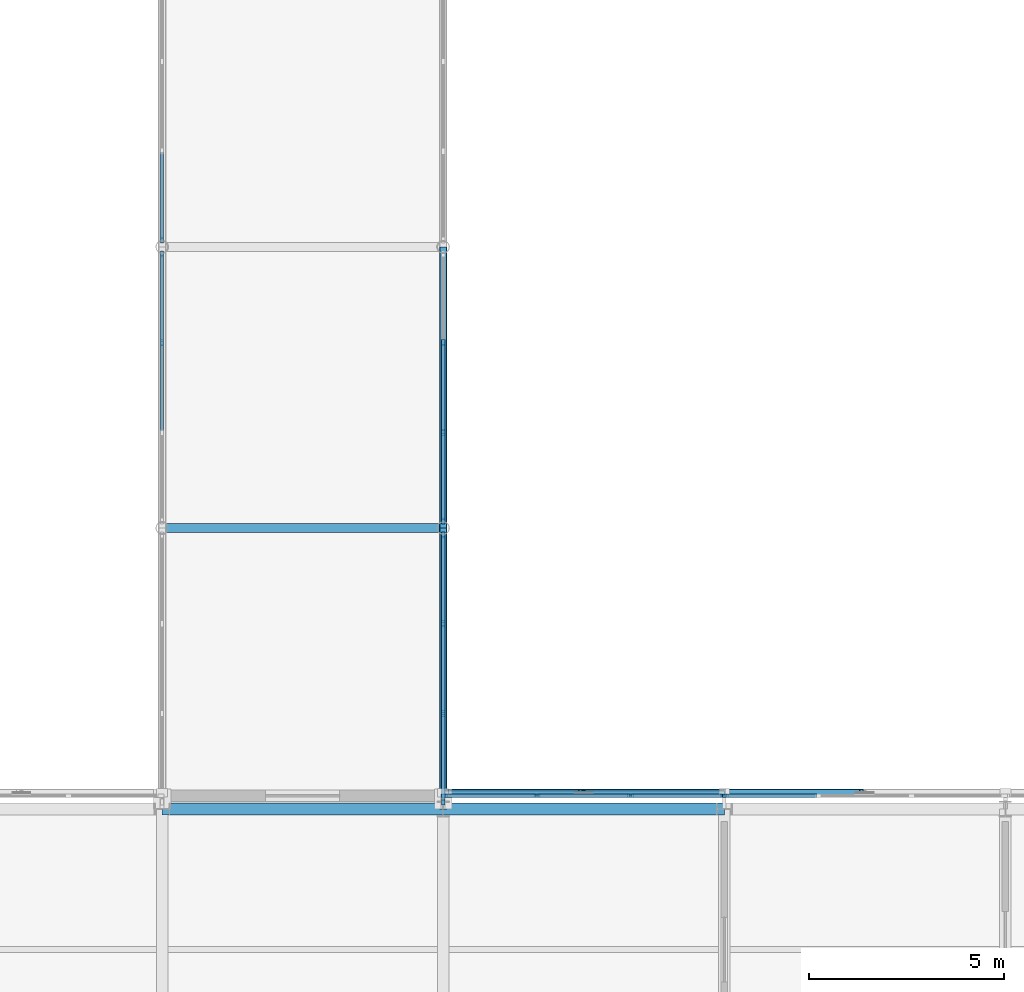
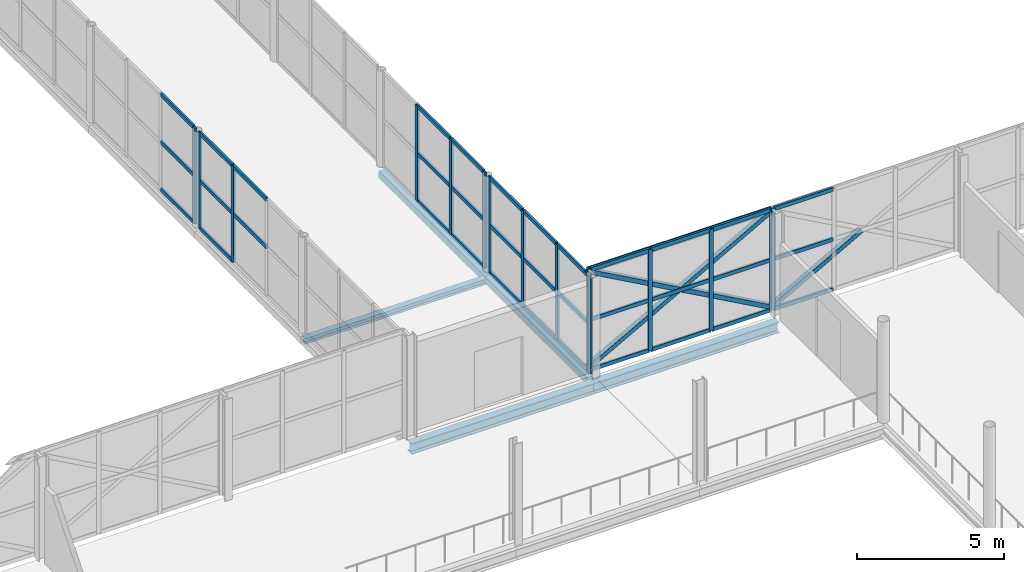
# One storey, part 45 of 146: 55 members, 5 beams, 6 elements without a shape of their own.
"""IFC4 building model written with IfcOpenShell, lengths in metres."""

from ifc_helpers import new_model, si_unit, direction, frame, origin, origin_2d, place, context, subcontext, project, spatial, rectangle, hollow_rectangle, i_section, extrude, material, material_profile, profile_set, type_object, element, aggregate, save


model = new_model("IFC4")

# Units and contexts
model_context = context("Model", 3, precision=1e-05, world=origin(), true_north=direction((0.0, 1.0)))
body_context = subcontext(model_context, "Body", "Model", "MODEL_VIEW")
ifc_project = project(units=[si_unit("LENGTHUNIT", "METRE"), si_unit("AREAUNIT", "SQUARE_METRE"), si_unit("VOLUMEUNIT", "CUBIC_METRE"), si_unit("PLANEANGLEUNIT", "RADIAN"), si_unit("MASSUNIT", "GRAM", prefix="KILO")], contexts=[model_context])

# Site, building, storey
site_placement = place(None, origin())
site = spatial("IfcSite", under=ifc_project, at=site_placement, CompositionType="ELEMENT")
building_placement = place(site_placement, origin())
building = spatial("IfcBuilding", under=site, at=building_placement, Name="Zlatovets Crest Museum", CompositionType="ELEMENT")
storey_placement = place(building_placement, frame((0.0, 0.0, 4.5)))
storey = spatial("IfcBuildingStorey", under=building, at=storey_placement, Name="L01", CompositionType="ELEMENT", Elevation=4.5)

# Beams
ifc_material_1 = material(Name="Structural steel S355J2", Category="steel")
ifc_material_profile_1 = material_profile(ifc_material_1, i_section(OverallWidth=0.239990234375, OverallDepth=0.22998046875, WebThickness=0.007568359375, FlangeThickness=0.011962890625, FilletRadius=0.02099609375, at=origin_2d()), Name="HEA 240")
ifc_profile_set_1 = profile_set([ifc_material_profile_1], Name="Structural steel S355J2")
beam_type_1 = type_object("IfcBeamType", Name="Beam_B-06", PredefinedType="BEAM", material=ifc_profile_set_1)
beam_1_placement = place(storey_placement, frame((79.199951171875, 36.0, -0.3701171875), z_axis=(1.0, 0.0, 0.0), x_axis=(0.0, 1.0, 0.0)))
element("IfcBeam", 1, at=beam_1_placement, inside=storey, type_object=beam_type_1, Name="Central Sculpture Court Cloister and Skywalk L01 Cross Beam", PredefinedType="BEAM", context=body_context, shape_type="SweptSolid", body=[
    extrude(i_section(OverallWidth=0.239990234375, OverallDepth=0.22998046875, WebThickness=0.007568359375, FlangeThickness=0.011962890625, FilletRadius=0.02099609375, at=origin_2d()), origin(), (0.0, 0.0, 1.0), 7.199951171875),
])
ifc_material_profile_2 = material_profile(ifc_material_1, i_section(OverallWidth=0.300048828125, OverallDepth=0.43994140625, WebThickness=0.011474609375, FlangeThickness=0.02099609375, FilletRadius=0.027099609375, at=origin_2d()), Name="HEA 450")
ifc_profile_set_2 = profile_set([ifc_material_profile_2], Name="Structural steel S355J2")
beam_type_2 = type_object("IfcBeamType", Name="Beam_B-10", PredefinedType="BEAM", material=ifc_profile_set_2)
beam_2_placement = place(storey_placement, frame((79.199951171875, 28.800048828125, -0.43994140625), z_axis=(1.0, 0.0, 0.0), x_axis=(0.0, 1.0, 0.0)))
element("IfcBeam", 2, at=beam_2_placement, inside=storey, type_object=beam_type_2, Name="V2 L01 Primary Girder B-10", PredefinedType="BEAM", context=body_context, shape_type="SweptSolid", body=[
    extrude(i_section(OverallWidth=0.300048828125, OverallDepth=0.43994140625, WebThickness=0.011474609375, FlangeThickness=0.02099609375, FilletRadius=0.027099609375, at=origin_2d()), origin(), (0.0, 0.0, 1.0), 7.199951171875),
])
beam_3_placement = place(storey_placement, frame((86.39990234375, 28.800048828125, -0.43994140625), z_axis=(1.0, 0.0, 0.0), x_axis=(0.0, 1.0, 0.0)))
element("IfcBeam", 3, at=beam_3_placement, inside=storey, type_object=beam_type_2, Name="V2 L01 Primary Girder B-10", PredefinedType="BEAM", context=body_context, shape_type="SweptSolid", body=[
    extrude(i_section(OverallWidth=0.300048828125, OverallDepth=0.43994140625, WebThickness=0.011474609375, FlangeThickness=0.02099609375, FilletRadius=0.027099609375, at=origin_2d()), origin(), (0.0, 0.0, 1.0), 7.2001953125),
])
ifc_material_profile_3 = material_profile(ifc_material_1, hollow_rectangle(XDim=0.199951171875, YDim=0.300048828125, WallThickness=0.012451171875, InnerFilletRadius=0.012451171875, OuterFilletRadius=0.02490234375, at=origin_2d()), Name="RHS 200x300x12.5")
ifc_profile_set_3 = profile_set([ifc_material_profile_3], Name="Structural steel S355J2")
beam_type_3 = type_object("IfcBeamType", Name="Beam_BRG-01", PredefinedType="BEAM", material=ifc_profile_set_3)
for number, where, z_axis, x_axis, name in (
    (4, (86.39990234375, 28.800048828125, -0.3701171875), (0.0, 1.0, 0.0), (-1.0, 0.0, 0.0), "Central Sculpture Court Cloister and Skywalk L01 Stringer Beam"),
    (5, (86.39990234375, 36.0, -0.3701171875), (0.0, 1.0, 0.0), (-1.0, 0.0, 0.0), "Central Sculpture Court Cloister and Skywalk L01 Stringer Beam"),
):
    element("IfcBeam", number, at=place(storey_placement, frame(where, z_axis=z_axis, x_axis=x_axis)), inside=storey, type_object=beam_type_3, Name=name, PredefinedType="BEAM", context=body_context, shape_type="SweptSolid", body=[
        extrude(hollow_rectangle(XDim=0.199951171875, YDim=0.300048828125, WallThickness=0.012451171875, InnerFilletRadius=0.012451171875, OuterFilletRadius=0.02490234375, at=origin_2d()), origin(), (0.0, 0.0, 1.0), 7.199951171875),
    ])

# Curtain wall, member
ifc_material_2 = material(Name="Bronze-anodised aluminium and low-E triple glass", Category="aluminium")
curtain_wall_type_1 = type_object("IfcCurtainWallType", Name="CW_CW-V2-L01-M0", PredefinedType="NOTDEFINED", material=ifc_material_2)
curtain_wall_1_placement = place(storey_placement, origin())
curtain_wall_1 = element("IfcCurtainWall", 6, at=curtain_wall_1_placement, inside=storey, type_object=curtain_wall_type_1, Name="V2 L01 Secession Foyer Clear Curtain Wall", PredefinedType="NOTDEFINED")
ifc_material_3 = material(Name="Bronze-anodised aluminium EN AW-6060", Category="aluminium")
ifc_material_profile_4 = material_profile(ifc_material_3, rectangle(XDim=0.080078125, YDim=0.159912109375, at=origin_2d()), Name="ALU 80x160")
ifc_profile_set_4 = profile_set([ifc_material_profile_4], Name="Bronze-anodised aluminium EN AW-6060")
member_type_1 = type_object("IfcMemberType", Name="CWMull_M1", PredefinedType="MULLION", material=ifc_profile_set_4)
member_1_placement = place(storey_placement, frame((93.6298828125, 29.139892578125, 0.0), z_axis=(0.0, 0.0, 1.0), x_axis=(0.0, -1.0, 0.0)))
member_1 = element("IfcMember", 7, at=member_1_placement, type_object=member_type_1, Name="CW-V2-L01-M0 mullion 4", PredefinedType="MULLION", context=body_context, shape_type="SweptSolid", body=[
    extrude(rectangle(XDim=0.080078125, YDim=0.159912109375, at=origin_2d()), origin(), (0.0, 0.0, 1.0), 4.199951171875),
])

# Curtain wall, members
curtain_wall_type_2 = type_object("IfcCurtainWallType", Name="CW_CW-V2-L01-M1", PredefinedType="NOTDEFINED", material=ifc_material_2)
curtain_wall_2_placement = place(storey_placement, origin())
curtain_wall_2 = element("IfcCurtainWall", 8, at=curtain_wall_2_placement, inside=storey, type_object=curtain_wall_type_2, Name="V2 L01 Secession Foyer Clear Curtain Wall", PredefinedType="NOTDEFINED")
member_2_placement = place(storey_placement, frame((93.570068359375, 29.139892578125, 0.0), z_axis=(0.0, 0.0, 1.0), x_axis=(0.0, -1.0, 0.0)))
member_2 = element("IfcMember", 9, at=member_2_placement, type_object=member_type_1, Name="CW-V2-L01-M1 mullion 1", PredefinedType="MULLION", context=body_context, shape_type="SweptSolid", body=[
    extrude(rectangle(XDim=0.080078125, YDim=0.159912109375, at=origin_2d()), origin(), (0.0, 0.0, 1.0), 4.199951171875),
])
member_3_placement = place(storey_placement, frame((91.199951171875, 29.139892578125, 0.0), z_axis=(0.0, 0.0, 1.0), x_axis=(0.0, -1.0, 0.0)))
member_3 = element("IfcMember", 10, at=member_3_placement, type_object=member_type_1, Name="CW-V2-L01-M1 mullion 2", PredefinedType="MULLION", context=body_context, shape_type="SweptSolid", body=[
    extrude(rectangle(XDim=0.080078125, YDim=0.159912109375, at=origin_2d()), origin(), (0.0, 0.0, 1.0), 4.199951171875),
])
member_4_placement = place(storey_placement, frame((88.800048828125, 29.139892578125, 0.0), z_axis=(0.0, 0.0, 1.0), x_axis=(0.0, -1.0, 0.0)))
member_4 = element("IfcMember", 11, at=member_4_placement, type_object=member_type_1, Name="CW-V2-L01-M1 mullion 3", PredefinedType="MULLION", context=body_context, shape_type="SweptSolid", body=[
    extrude(rectangle(XDim=0.080078125, YDim=0.159912109375, at=origin_2d()), origin(), (0.0, 0.0, 1.0), 4.199951171875),
])
member_5_placement = place(storey_placement, frame((86.429931640625, 29.139892578125, 0.0), z_axis=(0.0, 0.0, 1.0), x_axis=(0.0, -1.0, 0.0)))
member_5 = element("IfcMember", 12, at=member_5_placement, type_object=member_type_1, Name="CW-V2-L01-M1 mullion 4", PredefinedType="MULLION", context=body_context, shape_type="SweptSolid", body=[
    extrude(rectangle(XDim=0.080078125, YDim=0.159912109375, at=origin_2d()), origin(), (0.0, 0.0, 1.0), 4.199951171875),
])

curtain_wall_type_3 = type_object("IfcCurtainWallType", Name="CW_CW-BR5-L01-S69", PredefinedType="NOTDEFINED", material=ifc_material_2)
curtain_wall_3_placement = place(storey_placement, origin())
curtain_wall_3 = element("IfcCurtainWall", 13, at=curtain_wall_3_placement, inside=storey, type_object=curtain_wall_type_3, Name="Central Sculpture Court Cloister and Skywalk L01 Glazed Bridge Curtain Wall", PredefinedType="NOTDEFINED")
member_6_placement = place(storey_placement, frame((79.199951171875, 40.75, 0.0), z_axis=(0.0, 0.0, 1.0), x_axis=(-1.0, 0.0, 0.0)))
member_6 = element("IfcMember", 14, at=member_6_placement, type_object=member_type_1, Name="CW-BR5-L01-S69 mullion 3", PredefinedType="MULLION", context=body_context, shape_type="SweptSolid", body=[
    extrude(rectangle(XDim=0.080078125, YDim=0.159912109375, at=origin_2d()), origin(), (0.0, 0.0, 1.0), 3.97998046875),
])
member_7_placement = place(storey_placement, frame((79.199951171875, 43.02001953125, 0.0), z_axis=(0.0, 0.0, 1.0), x_axis=(-1.0, 0.0, 0.0)))
member_7 = element("IfcMember", 15, at=member_7_placement, type_object=member_type_1, Name="CW-BR5-L01-S69 mullion 4", PredefinedType="MULLION", context=body_context, shape_type="SweptSolid", body=[
    extrude(rectangle(XDim=0.080078125, YDim=0.159912109375, at=origin_2d()), origin(), (0.0, 0.0, 1.0), 3.97998046875),
])

# Curtain wall, member
curtain_wall_4_placement = place(storey_placement, origin())
curtain_wall_4 = element("IfcCurtainWall", 16, at=curtain_wall_4_placement, inside=storey, type_object=curtain_wall_type_3, Name="Central Sculpture Court Cloister and Skywalk L01 Glazed Bridge Curtain Wall", PredefinedType="NOTDEFINED")
member_8_placement = place(storey_placement, frame((79.199951171875, 43.3798828125, 0.0), z_axis=(0.0, 0.0, 1.0), x_axis=(-1.0, 0.0, 0.0)))
member_8 = element("IfcMember", 17, at=member_8_placement, type_object=member_type_1, Name="CW-BR5-L01-S69 mullion 1", PredefinedType="MULLION", context=body_context, shape_type="SweptSolid", body=[
    extrude(rectangle(XDim=0.080078125, YDim=0.159912109375, at=origin_2d()), origin(), (0.0, 0.0, 1.0), 3.97998046875),
])

# Curtain wall, members
curtain_wall_5_placement = place(storey_placement, origin())
curtain_wall_5 = element("IfcCurtainWall", 18, at=curtain_wall_5_placement, inside=storey, type_object=curtain_wall_type_3, Name="Central Sculpture Court Cloister and Skywalk L01 Glazed Bridge Curtain Wall", PredefinedType="NOTDEFINED")
member_9_placement = place(storey_placement, frame((86.39990234375, 28.97998046875, 0.0), z_axis=(0.0, 0.0, 1.0), x_axis=(-1.0, 0.0, 0.0)))
member_9 = element("IfcMember", 19, at=member_9_placement, type_object=member_type_1, Name="CW-BR5-L01-S69 mullion 1", PredefinedType="MULLION", context=body_context, shape_type="SweptSolid", body=[
    extrude(rectangle(XDim=0.080078125, YDim=0.159912109375, at=origin_2d()), origin(), (0.0, 0.0, 1.0), 3.97998046875),
])
member_10_placement = place(storey_placement, frame((86.39990234375, 31.25, 0.0), z_axis=(0.0, 0.0, 1.0), x_axis=(-1.0, 0.0, 0.0)))
member_10 = element("IfcMember", 20, at=member_10_placement, type_object=member_type_1, Name="CW-BR5-L01-S69 mullion 2", PredefinedType="MULLION", context=body_context, shape_type="SweptSolid", body=[
    extrude(rectangle(XDim=0.080078125, YDim=0.159912109375, at=origin_2d()), origin(), (0.0, 0.0, 1.0), 3.97998046875),
])
member_11_placement = place(storey_placement, frame((86.39990234375, 33.550048828125, 0.0), z_axis=(0.0, 0.0, 1.0), x_axis=(-1.0, 0.0, 0.0)))
member_11 = element("IfcMember", 21, at=member_11_placement, type_object=member_type_1, Name="CW-BR5-L01-S69 mullion 3", PredefinedType="MULLION", context=body_context, shape_type="SweptSolid", body=[
    extrude(rectangle(XDim=0.080078125, YDim=0.159912109375, at=origin_2d()), origin(), (0.0, 0.0, 1.0), 3.97998046875),
])
member_12_placement = place(storey_placement, frame((86.39990234375, 35.820068359375, 0.0), z_axis=(0.0, 0.0, 1.0), x_axis=(-1.0, 0.0, 0.0)))
member_12 = element("IfcMember", 22, at=member_12_placement, type_object=member_type_1, Name="CW-BR5-L01-S69 mullion 4", PredefinedType="MULLION", context=body_context, shape_type="SweptSolid", body=[
    extrude(rectangle(XDim=0.080078125, YDim=0.159912109375, at=origin_2d()), origin(), (0.0, 0.0, 1.0), 3.97998046875),
])

curtain_wall_6_placement = place(storey_placement, origin())
curtain_wall_6 = element("IfcCurtainWall", 23, at=curtain_wall_6_placement, inside=storey, type_object=curtain_wall_type_3, Name="Central Sculpture Court Cloister and Skywalk L01 Glazed Bridge Curtain Wall", PredefinedType="NOTDEFINED")
member_13_placement = place(storey_placement, frame((86.39990234375, 36.179931640625, 0.0), z_axis=(0.0, 0.0, 1.0), x_axis=(-1.0, 0.0, 0.0)))
member_13 = element("IfcMember", 24, at=member_13_placement, type_object=member_type_1, Name="CW-BR5-L01-S69 mullion 1", PredefinedType="MULLION", context=body_context, shape_type="SweptSolid", body=[
    extrude(rectangle(XDim=0.080078125, YDim=0.159912109375, at=origin_2d()), origin(), (0.0, 0.0, 1.0), 3.97998046875),
])
member_14_placement = place(storey_placement, frame((86.39990234375, 38.449951171875, 0.0), z_axis=(0.0, 0.0, 1.0), x_axis=(-1.0, 0.0, 0.0)))
member_14 = element("IfcMember", 25, at=member_14_placement, type_object=member_type_1, Name="CW-BR5-L01-S69 mullion 2", PredefinedType="MULLION", context=body_context, shape_type="SweptSolid", body=[
    extrude(rectangle(XDim=0.080078125, YDim=0.159912109375, at=origin_2d()), origin(), (0.0, 0.0, 1.0), 3.97998046875),
])
member_15_placement = place(storey_placement, frame((86.39990234375, 40.75, 0.0), z_axis=(0.0, 0.0, 1.0), x_axis=(-1.0, 0.0, 0.0)))
member_15 = element("IfcMember", 26, at=member_15_placement, type_object=member_type_1, Name="CW-BR5-L01-S69 mullion 3", PredefinedType="MULLION", context=body_context, shape_type="SweptSolid", body=[
    extrude(rectangle(XDim=0.080078125, YDim=0.159912109375, at=origin_2d()), origin(), (0.0, 0.0, 1.0), 3.97998046875),
])

# Member
ifc_material_profile_5 = material_profile(ifc_material_3, rectangle(XDim=0.080078125, YDim=0.159912109375, at=origin_2d()), Name="ALU 80x160")
ifc_profile_set_5 = profile_set([ifc_material_profile_5], Name="Bronze-anodised aluminium EN AW-6060")
member_type_2 = type_object("IfcMemberType", Name="CWTrans_T1", PredefinedType="USERDEFINED", material=ifc_profile_set_5)
member_16_placement = place(storey_placement, frame((95.969970703125, 29.139892578125, 0.030029296875), z_axis=(-1.0, 0.0, 0.0), x_axis=(0.0, -1.0, 0.0)))
member_16 = element("IfcMember", 27, at=member_16_placement, type_object=member_type_2, Name="CW-V2-L01-M0 transom 3.1", ObjectType="TRANSOM", PredefinedType="USERDEFINED", context=body_context, shape_type="SweptSolid", body=[
    extrude(rectangle(XDim=0.080078125, YDim=0.159912109375, at=origin_2d()), origin(), (0.0, 0.0, 1.0), 2.31005859375),
])

member_17_placement = place(storey_placement, frame((95.969970703125, 29.139892578125, 2.10009765625), z_axis=(-1.0, 0.0, 0.0), x_axis=(0.0, -1.0, 0.0)))
member_17 = element("IfcMember", 28, at=member_17_placement, type_object=member_type_2, Name="CW-V2-L01-M0 transom 3.2", ObjectType="TRANSOM", PredefinedType="USERDEFINED", context=body_context, shape_type="SweptSolid", body=[
    extrude(rectangle(XDim=0.080078125, YDim=0.159912109375, at=origin_2d()), origin(), (0.0, 0.0, 1.0), 2.31005859375),
])

member_18_placement = place(storey_placement, frame((95.969970703125, 29.139892578125, 4.169921875), z_axis=(-1.0, 0.0, 0.0), x_axis=(0.0, -1.0, 0.0)))
member_18 = element("IfcMember", 29, at=member_18_placement, type_object=member_type_2, Name="CW-V2-L01-M0 transom 3.3", ObjectType="TRANSOM", PredefinedType="USERDEFINED", context=body_context, shape_type="SweptSolid", body=[
    extrude(rectangle(XDim=0.080078125, YDim=0.159912109375, at=origin_2d()), origin(), (0.0, 0.0, 1.0), 2.31005859375),
])

aggregate(curtain_wall_1, [member_1, member_16, member_17, member_18])

member_19_placement = place(storey_placement, frame((93.5400390625, 29.139892578125, 0.030029296875), z_axis=(-1.0, 0.0, 0.0), x_axis=(0.0, -1.0, 0.0)))
member_19 = element("IfcMember", 30, at=member_19_placement, type_object=member_type_2, Name="CW-V2-L01-M1 transom 1.1", ObjectType="TRANSOM", PredefinedType="USERDEFINED", context=body_context, shape_type="SweptSolid", body=[
    extrude(rectangle(XDim=0.080078125, YDim=0.159912109375, at=origin_2d()), origin(), (0.0, 0.0, 1.0), 2.31005859375),
])

member_20_placement = place(storey_placement, frame((93.5400390625, 29.139892578125, 2.10009765625), z_axis=(-1.0, 0.0, 0.0), x_axis=(0.0, -1.0, 0.0)))
member_20 = element("IfcMember", 31, at=member_20_placement, type_object=member_type_2, Name="CW-V2-L01-M1 transom 1.2", ObjectType="TRANSOM", PredefinedType="USERDEFINED", context=body_context, shape_type="SweptSolid", body=[
    extrude(rectangle(XDim=0.080078125, YDim=0.159912109375, at=origin_2d()), origin(), (0.0, 0.0, 1.0), 2.31005859375),
])

member_21_placement = place(storey_placement, frame((93.5400390625, 29.139892578125, 4.169921875), z_axis=(-1.0, 0.0, 0.0), x_axis=(0.0, -1.0, 0.0)))
member_21 = element("IfcMember", 32, at=member_21_placement, type_object=member_type_2, Name="CW-V2-L01-M1 transom 1.3", ObjectType="TRANSOM", PredefinedType="USERDEFINED", context=body_context, shape_type="SweptSolid", body=[
    extrude(rectangle(XDim=0.080078125, YDim=0.159912109375, at=origin_2d()), origin(), (0.0, 0.0, 1.0), 2.31005859375),
])

member_22_placement = place(storey_placement, frame((91.169921875, 29.139892578125, 0.030029296875), z_axis=(-1.0, 0.0, 0.0), x_axis=(0.0, -1.0, 0.0)))
member_22 = element("IfcMember", 33, at=member_22_placement, type_object=member_type_2, Name="CW-V2-L01-M1 transom 2.1", ObjectType="TRANSOM", PredefinedType="USERDEFINED", context=body_context, shape_type="SweptSolid", body=[
    extrude(rectangle(XDim=0.080078125, YDim=0.159912109375, at=origin_2d()), origin(), (0.0, 0.0, 1.0), 2.33984375),
])

member_23_placement = place(storey_placement, frame((91.169921875, 29.139892578125, 2.10009765625), z_axis=(-1.0, 0.0, 0.0), x_axis=(0.0, -1.0, 0.0)))
member_23 = element("IfcMember", 34, at=member_23_placement, type_object=member_type_2, Name="CW-V2-L01-M1 transom 2.2", ObjectType="TRANSOM", PredefinedType="USERDEFINED", context=body_context, shape_type="SweptSolid", body=[
    extrude(rectangle(XDim=0.080078125, YDim=0.159912109375, at=origin_2d()), origin(), (0.0, 0.0, 1.0), 2.33984375),
])

member_24_placement = place(storey_placement, frame((91.169921875, 29.139892578125, 4.169921875), z_axis=(-1.0, 0.0, 0.0), x_axis=(0.0, -1.0, 0.0)))
member_24 = element("IfcMember", 35, at=member_24_placement, type_object=member_type_2, Name="CW-V2-L01-M1 transom 2.3", ObjectType="TRANSOM", PredefinedType="USERDEFINED", context=body_context, shape_type="SweptSolid", body=[
    extrude(rectangle(XDim=0.080078125, YDim=0.159912109375, at=origin_2d()), origin(), (0.0, 0.0, 1.0), 2.33984375),
])

member_25_placement = place(storey_placement, frame((88.77001953125, 29.139892578125, 0.030029296875), z_axis=(-1.0, 0.0, 0.0), x_axis=(0.0, -1.0, 0.0)))
member_25 = element("IfcMember", 36, at=member_25_placement, type_object=member_type_2, Name="CW-V2-L01-M1 transom 3.1", ObjectType="TRANSOM", PredefinedType="USERDEFINED", context=body_context, shape_type="SweptSolid", body=[
    extrude(rectangle(XDim=0.080078125, YDim=0.159912109375, at=origin_2d()), origin(), (0.0, 0.0, 1.0), 2.31005859375),
])

member_26_placement = place(storey_placement, frame((88.77001953125, 29.139892578125, 2.10009765625), z_axis=(-1.0, 0.0, 0.0), x_axis=(0.0, -1.0, 0.0)))
member_26 = element("IfcMember", 37, at=member_26_placement, type_object=member_type_2, Name="CW-V2-L01-M1 transom 3.2", ObjectType="TRANSOM", PredefinedType="USERDEFINED", context=body_context, shape_type="SweptSolid", body=[
    extrude(rectangle(XDim=0.080078125, YDim=0.159912109375, at=origin_2d()), origin(), (0.0, 0.0, 1.0), 2.31005859375),
])

member_27_placement = place(storey_placement, frame((88.77001953125, 29.139892578125, 4.169921875), z_axis=(-1.0, 0.0, 0.0), x_axis=(0.0, -1.0, 0.0)))
member_27 = element("IfcMember", 38, at=member_27_placement, type_object=member_type_2, Name="CW-V2-L01-M1 transom 3.3", ObjectType="TRANSOM", PredefinedType="USERDEFINED", context=body_context, shape_type="SweptSolid", body=[
    extrude(rectangle(XDim=0.080078125, YDim=0.159912109375, at=origin_2d()), origin(), (0.0, 0.0, 1.0), 2.31005859375),
])

aggregate(curtain_wall_2, [member_2, member_3, member_4, member_5, member_19, member_20, member_21, member_22, member_23, member_24, member_25, member_26, member_27])

member_28_placement = place(storey_placement, frame((79.199951171875, 38.47998046875, 1.989990234375), z_axis=(0.0, 1.0, 0.0), x_axis=(-1.0, 0.0, 0.0)))
member_28 = element("IfcMember", 39, at=member_28_placement, type_object=member_type_2, Name="CW-BR5-L01-S69 transom 2.2", ObjectType="TRANSOM", PredefinedType="USERDEFINED", context=body_context, shape_type="SweptSolid", body=[
    extrude(rectangle(XDim=0.080078125, YDim=0.159912109375, at=origin_2d()), origin(), (0.0, 0.0, 1.0), 2.239990234375),
])

member_29_placement = place(storey_placement, frame((79.199951171875, 38.47998046875, 3.949951171875), z_axis=(0.0, 1.0, 0.0), x_axis=(-1.0, 0.0, 0.0)))
member_29 = element("IfcMember", 40, at=member_29_placement, type_object=member_type_2, Name="CW-BR5-L01-S69 transom 2.3", ObjectType="TRANSOM", PredefinedType="USERDEFINED", context=body_context, shape_type="SweptSolid", body=[
    extrude(rectangle(XDim=0.080078125, YDim=0.159912109375, at=origin_2d()), origin(), (0.0, 0.0, 1.0), 2.239990234375),
])

member_30_placement = place(storey_placement, frame((79.199951171875, 40.780029296875, 0.030029296875), z_axis=(0.0, 1.0, 0.0), x_axis=(-1.0, 0.0, 0.0)))
member_30 = element("IfcMember", 41, at=member_30_placement, type_object=member_type_2, Name="CW-BR5-L01-S69 transom 3.1", ObjectType="TRANSOM", PredefinedType="USERDEFINED", context=body_context, shape_type="SweptSolid", body=[
    extrude(rectangle(XDim=0.080078125, YDim=0.159912109375, at=origin_2d()), origin(), (0.0, 0.0, 1.0), 2.2099609375),
])

member_31_placement = place(storey_placement, frame((79.199951171875, 40.780029296875, 1.989990234375), z_axis=(0.0, 1.0, 0.0), x_axis=(-1.0, 0.0, 0.0)))
member_31 = element("IfcMember", 42, at=member_31_placement, type_object=member_type_2, Name="CW-BR5-L01-S69 transom 3.2", ObjectType="TRANSOM", PredefinedType="USERDEFINED", context=body_context, shape_type="SweptSolid", body=[
    extrude(rectangle(XDim=0.080078125, YDim=0.159912109375, at=origin_2d()), origin(), (0.0, 0.0, 1.0), 2.2099609375),
])

member_32_placement = place(storey_placement, frame((79.199951171875, 40.780029296875, 3.949951171875), z_axis=(0.0, 1.0, 0.0), x_axis=(-1.0, 0.0, 0.0)))
member_32 = element("IfcMember", 43, at=member_32_placement, type_object=member_type_2, Name="CW-BR5-L01-S69 transom 3.3", ObjectType="TRANSOM", PredefinedType="USERDEFINED", context=body_context, shape_type="SweptSolid", body=[
    extrude(rectangle(XDim=0.080078125, YDim=0.159912109375, at=origin_2d()), origin(), (0.0, 0.0, 1.0), 2.2099609375),
])

aggregate(curtain_wall_3, [member_6, member_7, member_28, member_29, member_30, member_31, member_32])

member_33_placement = place(storey_placement, frame((79.199951171875, 43.409912109375, 0.030029296875), z_axis=(0.0, 1.0, 0.0), x_axis=(-1.0, 0.0, 0.0)))
member_33 = element("IfcMember", 44, at=member_33_placement, type_object=member_type_2, Name="CW-BR5-L01-S69 transom 1.1", ObjectType="TRANSOM", PredefinedType="USERDEFINED", context=body_context, shape_type="SweptSolid", body=[
    extrude(rectangle(XDim=0.080078125, YDim=0.159912109375, at=origin_2d()), origin(), (0.0, 0.0, 1.0), 2.210205078125),
])

member_34_placement = place(storey_placement, frame((79.199951171875, 43.409912109375, 1.989990234375), z_axis=(0.0, 1.0, 0.0), x_axis=(-1.0, 0.0, 0.0)))
member_34 = element("IfcMember", 45, at=member_34_placement, type_object=member_type_2, Name="CW-BR5-L01-S69 transom 1.2", ObjectType="TRANSOM", PredefinedType="USERDEFINED", context=body_context, shape_type="SweptSolid", body=[
    extrude(rectangle(XDim=0.080078125, YDim=0.159912109375, at=origin_2d()), origin(), (0.0, 0.0, 1.0), 2.210205078125),
])

member_35_placement = place(storey_placement, frame((79.199951171875, 43.409912109375, 3.949951171875), z_axis=(0.0, 1.0, 0.0), x_axis=(-1.0, 0.0, 0.0)))
member_35 = element("IfcMember", 46, at=member_35_placement, type_object=member_type_2, Name="CW-BR5-L01-S69 transom 1.3", ObjectType="TRANSOM", PredefinedType="USERDEFINED", context=body_context, shape_type="SweptSolid", body=[
    extrude(rectangle(XDim=0.080078125, YDim=0.159912109375, at=origin_2d()), origin(), (0.0, 0.0, 1.0), 2.210205078125),
])

aggregate(curtain_wall_4, [member_8, member_33, member_34, member_35])

member_36_placement = place(storey_placement, frame((86.39990234375, 29.010009765625, 0.030029296875), z_axis=(0.0, 1.0, 0.0), x_axis=(-1.0, 0.0, 0.0)))
member_36 = element("IfcMember", 47, at=member_36_placement, type_object=member_type_2, Name="CW-BR5-L01-S69 transom 1.1", ObjectType="TRANSOM", PredefinedType="USERDEFINED", context=body_context, shape_type="SweptSolid", body=[
    extrude(rectangle(XDim=0.080078125, YDim=0.159912109375, at=origin_2d()), origin(), (0.0, 0.0, 1.0), 2.2099609375),
])

member_37_placement = place(storey_placement, frame((86.39990234375, 29.010009765625, 1.989990234375), z_axis=(0.0, 1.0, 0.0), x_axis=(-1.0, 0.0, 0.0)))
member_37 = element("IfcMember", 48, at=member_37_placement, type_object=member_type_2, Name="CW-BR5-L01-S69 transom 1.2", ObjectType="TRANSOM", PredefinedType="USERDEFINED", context=body_context, shape_type="SweptSolid", body=[
    extrude(rectangle(XDim=0.080078125, YDim=0.159912109375, at=origin_2d()), origin(), (0.0, 0.0, 1.0), 2.2099609375),
])

member_38_placement = place(storey_placement, frame((86.39990234375, 29.010009765625, 3.949951171875), z_axis=(0.0, 1.0, 0.0), x_axis=(-1.0, 0.0, 0.0)))
member_38 = element("IfcMember", 49, at=member_38_placement, type_object=member_type_2, Name="CW-BR5-L01-S69 transom 1.3", ObjectType="TRANSOM", PredefinedType="USERDEFINED", context=body_context, shape_type="SweptSolid", body=[
    extrude(rectangle(XDim=0.080078125, YDim=0.159912109375, at=origin_2d()), origin(), (0.0, 0.0, 1.0), 2.2099609375),
])

member_39_placement = place(storey_placement, frame((86.39990234375, 31.280029296875, 0.030029296875), z_axis=(0.0, 1.0, 0.0), x_axis=(-1.0, 0.0, 0.0)))
member_39 = element("IfcMember", 50, at=member_39_placement, type_object=member_type_2, Name="CW-BR5-L01-S69 transom 2.1", ObjectType="TRANSOM", PredefinedType="USERDEFINED", context=body_context, shape_type="SweptSolid", body=[
    extrude(rectangle(XDim=0.080078125, YDim=0.159912109375, at=origin_2d()), origin(), (0.0, 0.0, 1.0), 2.239990234375),
])

member_40_placement = place(storey_placement, frame((86.39990234375, 31.280029296875, 1.989990234375), z_axis=(0.0, 1.0, 0.0), x_axis=(-1.0, 0.0, 0.0)))
member_40 = element("IfcMember", 51, at=member_40_placement, type_object=member_type_2, Name="CW-BR5-L01-S69 transom 2.2", ObjectType="TRANSOM", PredefinedType="USERDEFINED", context=body_context, shape_type="SweptSolid", body=[
    extrude(rectangle(XDim=0.080078125, YDim=0.159912109375, at=origin_2d()), origin(), (0.0, 0.0, 1.0), 2.239990234375),
])

member_41_placement = place(storey_placement, frame((86.39990234375, 31.280029296875, 3.949951171875), z_axis=(0.0, 1.0, 0.0), x_axis=(-1.0, 0.0, 0.0)))
member_41 = element("IfcMember", 52, at=member_41_placement, type_object=member_type_2, Name="CW-BR5-L01-S69 transom 2.3", ObjectType="TRANSOM", PredefinedType="USERDEFINED", context=body_context, shape_type="SweptSolid", body=[
    extrude(rectangle(XDim=0.080078125, YDim=0.159912109375, at=origin_2d()), origin(), (0.0, 0.0, 1.0), 2.239990234375),
])

member_42_placement = place(storey_placement, frame((86.39990234375, 33.580078125, 0.030029296875), z_axis=(0.0, 1.0, 0.0), x_axis=(-1.0, 0.0, 0.0)))
member_42 = element("IfcMember", 53, at=member_42_placement, type_object=member_type_2, Name="CW-BR5-L01-S69 transom 3.1", ObjectType="TRANSOM", PredefinedType="USERDEFINED", context=body_context, shape_type="SweptSolid", body=[
    extrude(rectangle(XDim=0.080078125, YDim=0.159912109375, at=origin_2d()), origin(), (0.0, 0.0, 1.0), 2.2099609375),
])

member_43_placement = place(storey_placement, frame((86.39990234375, 33.580078125, 1.989990234375), z_axis=(0.0, 1.0, 0.0), x_axis=(-1.0, 0.0, 0.0)))
member_43 = element("IfcMember", 54, at=member_43_placement, type_object=member_type_2, Name="CW-BR5-L01-S69 transom 3.2", ObjectType="TRANSOM", PredefinedType="USERDEFINED", context=body_context, shape_type="SweptSolid", body=[
    extrude(rectangle(XDim=0.080078125, YDim=0.159912109375, at=origin_2d()), origin(), (0.0, 0.0, 1.0), 2.2099609375),
])

member_44_placement = place(storey_placement, frame((86.39990234375, 33.580078125, 3.949951171875), z_axis=(0.0, 1.0, 0.0), x_axis=(-1.0, 0.0, 0.0)))
member_44 = element("IfcMember", 55, at=member_44_placement, type_object=member_type_2, Name="CW-BR5-L01-S69 transom 3.3", ObjectType="TRANSOM", PredefinedType="USERDEFINED", context=body_context, shape_type="SweptSolid", body=[
    extrude(rectangle(XDim=0.080078125, YDim=0.159912109375, at=origin_2d()), origin(), (0.0, 0.0, 1.0), 2.2099609375),
])

aggregate(curtain_wall_5, [member_9, member_10, member_11, member_12, member_36, member_37, member_38, member_39, member_40, member_41, member_42, member_43, member_44])

member_45_placement = place(storey_placement, frame((86.39990234375, 36.2099609375, 0.030029296875), z_axis=(0.0, 1.0, 0.0), x_axis=(-1.0, 0.0, 0.0)))
member_45 = element("IfcMember", 56, at=member_45_placement, type_object=member_type_2, Name="CW-BR5-L01-S69 transom 1.1", ObjectType="TRANSOM", PredefinedType="USERDEFINED", context=body_context, shape_type="SweptSolid", body=[
    extrude(rectangle(XDim=0.080078125, YDim=0.159912109375, at=origin_2d()), origin(), (0.0, 0.0, 1.0), 2.2099609375),
])

member_46_placement = place(storey_placement, frame((86.39990234375, 36.2099609375, 1.989990234375), z_axis=(0.0, 1.0, 0.0), x_axis=(-1.0, 0.0, 0.0)))
member_46 = element("IfcMember", 57, at=member_46_placement, type_object=member_type_2, Name="CW-BR5-L01-S69 transom 1.2", ObjectType="TRANSOM", PredefinedType="USERDEFINED", context=body_context, shape_type="SweptSolid", body=[
    extrude(rectangle(XDim=0.080078125, YDim=0.159912109375, at=origin_2d()), origin(), (0.0, 0.0, 1.0), 2.2099609375),
])

member_47_placement = place(storey_placement, frame((86.39990234375, 36.2099609375, 3.949951171875), z_axis=(0.0, 1.0, 0.0), x_axis=(-1.0, 0.0, 0.0)))
member_47 = element("IfcMember", 58, at=member_47_placement, type_object=member_type_2, Name="CW-BR5-L01-S69 transom 1.3", ObjectType="TRANSOM", PredefinedType="USERDEFINED", context=body_context, shape_type="SweptSolid", body=[
    extrude(rectangle(XDim=0.080078125, YDim=0.159912109375, at=origin_2d()), origin(), (0.0, 0.0, 1.0), 2.2099609375),
])

member_48_placement = place(storey_placement, frame((86.39990234375, 38.47998046875, 0.030029296875), z_axis=(0.0, 1.0, 0.0), x_axis=(-1.0, 0.0, 0.0)))
member_48 = element("IfcMember", 59, at=member_48_placement, type_object=member_type_2, Name="CW-BR5-L01-S69 transom 2.1", ObjectType="TRANSOM", PredefinedType="USERDEFINED", context=body_context, shape_type="SweptSolid", body=[
    extrude(rectangle(XDim=0.080078125, YDim=0.159912109375, at=origin_2d()), origin(), (0.0, 0.0, 1.0), 2.239990234375),
])

member_49_placement = place(storey_placement, frame((86.39990234375, 38.47998046875, 1.989990234375), z_axis=(0.0, 1.0, 0.0), x_axis=(-1.0, 0.0, 0.0)))
member_49 = element("IfcMember", 60, at=member_49_placement, type_object=member_type_2, Name="CW-BR5-L01-S69 transom 2.2", ObjectType="TRANSOM", PredefinedType="USERDEFINED", context=body_context, shape_type="SweptSolid", body=[
    extrude(rectangle(XDim=0.080078125, YDim=0.159912109375, at=origin_2d()), origin(), (0.0, 0.0, 1.0), 2.239990234375),
])

member_50_placement = place(storey_placement, frame((86.39990234375, 38.47998046875, 3.949951171875), z_axis=(0.0, 1.0, 0.0), x_axis=(-1.0, 0.0, 0.0)))
member_50 = element("IfcMember", 61, at=member_50_placement, type_object=member_type_2, Name="CW-BR5-L01-S69 transom 2.3", ObjectType="TRANSOM", PredefinedType="USERDEFINED", context=body_context, shape_type="SweptSolid", body=[
    extrude(rectangle(XDim=0.080078125, YDim=0.159912109375, at=origin_2d()), origin(), (0.0, 0.0, 1.0), 2.239990234375),
])

aggregate(curtain_wall_6, [member_13, member_14, member_15, member_45, member_46, member_47, member_48, member_49, member_50])

# Members
ifc_material_4 = material(Name="Weathering bronze-steel S355J2W", Category="steel")
ifc_material_profile_6 = material_profile(ifc_material_4, hollow_rectangle(XDim=0.199951171875, YDim=0.199951171875, WallThickness=0.012451171875, InnerFilletRadius=0.012451171875, OuterFilletRadius=0.02490234375, at=origin_2d()), Name="SHS 200x200x12.5")
ifc_profile_set_6 = profile_set([ifc_material_profile_6], Name="Weathering bronze-steel S355J2W")
member_type_3 = type_object("IfcMemberType", Name="Lattice_XL-02", PredefinedType="BRACE", material=ifc_profile_set_6)
member_51_placement = place(storey_placement, frame((97.116943359375, 29.219970703125, 2.053955078125), z_axis=(-0.874151551165, 0.0, -0.485653235958), x_axis=(0.0, -1.0, 0.0)))
element("IfcMember", 62, at=member_51_placement, inside=storey, type_object=member_type_3, Name="Split Crossing Bronze Lattice Diagonal Lower", PredefinedType="BRACE", context=body_context, shape_type="SweptSolid", body=[
    extrude(hollow_rectangle(XDim=0.199951171875, YDim=0.199951171875, WallThickness=0.012451171875, InnerFilletRadius=0.012451171875, OuterFilletRadius=0.02490234375, at=origin_2d()), origin(), (0.0, 0.0, 1.0), 4.023193359375),
])
member_52_placement = place(storey_placement, frame((93.60009765625, 29.219970703125, 0.10009765625), z_axis=(-0.874162868644, 0.0, 0.485632864501), x_axis=(0.0, -1.0, 0.0)))
element("IfcMember", 63, at=member_52_placement, inside=storey, type_object=member_type_3, Name="Continuous Bronze Lattice Diagonal", PredefinedType="BRACE", context=body_context, shape_type="SweptSolid", body=[
    extrude(hollow_rectangle(XDim=0.199951171875, YDim=0.199951171875, WallThickness=0.012451171875, InnerFilletRadius=0.012451171875, OuterFilletRadius=0.02490234375, at=origin_2d()), origin(), (0.0, 0.0, 1.0), 8.236572265625),
])
for number, where, z_axis, x_axis, name in (
    (64, (93.60009765625, 29.219970703125, 4.10009765625), (-0.874140102304, 0.0, -0.485673842763), (0.0, -1.0, 0.0), "Split Crossing Bronze Lattice Diagonal Upper"),
    (65, (89.9169921875, 29.219970703125, 2.053955078125), (-0.874165862873, 0.0, -0.485627474703), (0.0, -1.0, 0.0), "Split Crossing Bronze Lattice Diagonal Lower"),
):
    element("IfcMember", number, at=place(storey_placement, frame(where, z_axis=z_axis, x_axis=x_axis)), inside=storey, type_object=member_type_3, Name=name, PredefinedType="BRACE", context=body_context, shape_type="SweptSolid", body=[
        extrude(hollow_rectangle(XDim=0.199951171875, YDim=0.199951171875, WallThickness=0.012451171875, InnerFilletRadius=0.012451171875, OuterFilletRadius=0.02490234375, at=origin_2d()), origin(), (0.0, 0.0, 1.0), 4.0234375),
    ])
ifc_material_profile_7 = material_profile(ifc_material_4, hollow_rectangle(XDim=0.1201171875, YDim=0.239990234375, WallThickness=0.010009765625, InnerFilletRadius=0.010009765625, OuterFilletRadius=0.02001953125, at=origin_2d()), Name="RHS 120x240x10.0")
ifc_profile_set_7 = profile_set([ifc_material_profile_7], Name="Weathering bronze-steel S355J2W")
member_type_4 = type_object("IfcMemberType", Name="Lattice_XL-04", PredefinedType="CHORD", material=ifc_profile_set_7)
member_53_placement = place(storey_placement, frame((93.60009765625, 29.219970703125, 4.10009765625), z_axis=(-1.0, 0.0, 0.0), x_axis=(0.0, -1.0, 0.0)))
element("IfcMember", 66, at=member_53_placement, inside=storey, type_object=member_type_4, Name="Art Nouveau Woven Cage Collector Ring Chord", PredefinedType="CHORD", context=body_context, shape_type="SweptSolid", body=[
    extrude(hollow_rectangle(XDim=0.1201171875, YDim=0.239990234375, WallThickness=0.010009765625, InnerFilletRadius=0.010009765625, OuterFilletRadius=0.02001953125, at=origin_2d()), origin(), (0.0, 0.0, 1.0), 7.2001953125),
])

save(model, "model.ifc")
